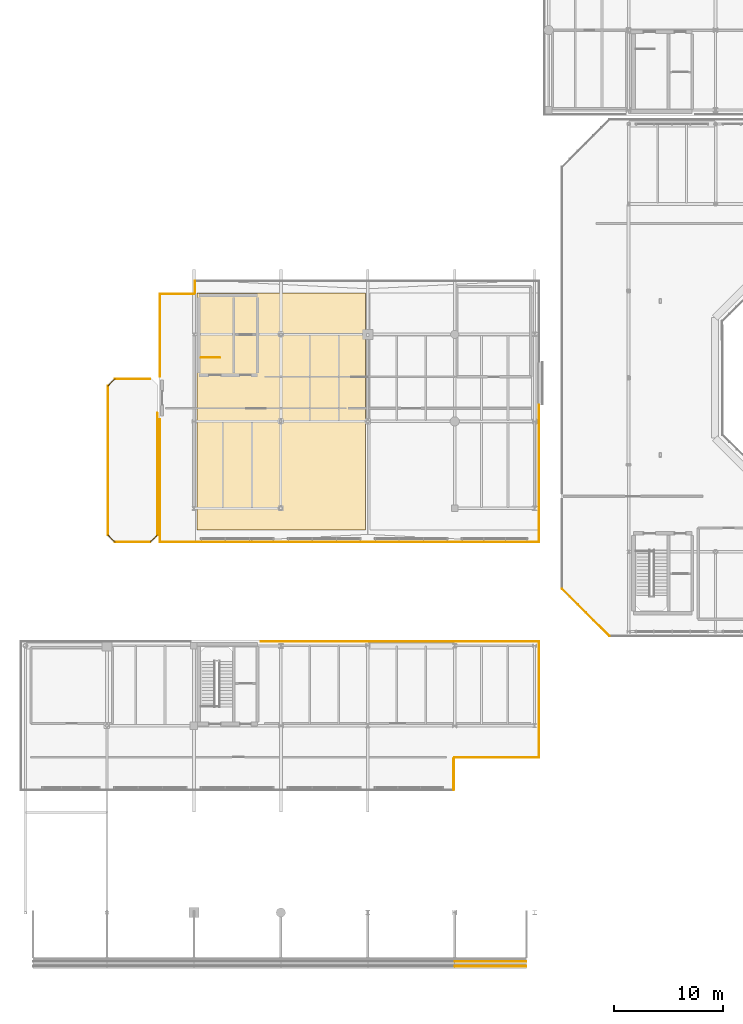
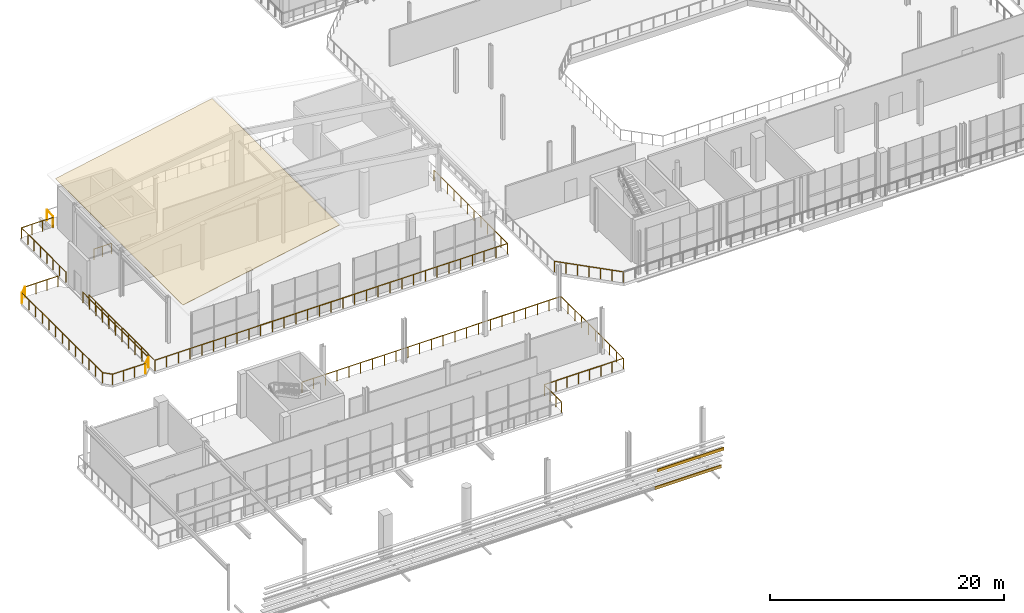
# One storey, part 60 of 70: 19 railings, 3 coverings.
"""IFC4 building model written with IfcOpenShell, lengths in metres."""

from ifc_helpers import new_model, si_unit, direction, frame, origin, origin_2d, place, context, subcontext, project, spatial, polyline, rectangle, circle, outline, extrude, material, layer, layer_set, type_object, element, save


model = new_model("IFC4")

# Units and contexts
model_context = context("Model", 3, precision=1e-05, world=origin(), true_north=direction((0.0, 1.0)))
body_context = subcontext(model_context, "Body", "Model", "MODEL_VIEW")
ifc_project = project(units=[si_unit("LENGTHUNIT", "METRE"), si_unit("AREAUNIT", "SQUARE_METRE"), si_unit("VOLUMEUNIT", "CUBIC_METRE"), si_unit("PLANEANGLEUNIT", "RADIAN"), si_unit("MASSUNIT", "GRAM", prefix="KILO")], contexts=[model_context])

# Site, building, storey
site_placement = place(None, origin())
site = spatial("IfcSite", under=ifc_project, at=site_placement, CompositionType="ELEMENT")
building_placement = place(site_placement, origin())
building = spatial("IfcBuilding", under=site, at=building_placement, Name="Brisemont Oceanarium", CompositionType="ELEMENT")
storey_placement = place(building_placement, frame((0.0, 0.0, 10.199951171875)))
storey = spatial("IfcBuildingStorey", under=building, at=storey_placement, Name="L02", CompositionType="ELEMENT", Elevation=10.199951171875)

# Coverings
ifc_material_1 = material(Name="Architectural Bronze-Anodized Cedar Composite")
ifc_layer_1 = layer(ifc_material_1, 0.044921875)
ifc_layer_set_1 = layer_set([ifc_layer_1], Name="Architectural Bronze-Anodized Cedar Composite")
covering_type_1 = type_object("IfcCoveringType", Name="COV-CLAD-CEDAR", PredefinedType="CLADDING", material=ifc_layer_set_1)
for number, where, z_axis, x_axis, name in (
    (1, (51.300048828125, 2.3046875, 1.47998046875), (0.0, 0.0, 1.0), (1.0, 0.0, 0.0), "V2 stepped spandrel cladding course 4.6"),
    (2, (51.300048828125, 1.87744140625, 3.580078125), (0.0, 0.0, 1.0), (1.0, 0.0, 0.0), "V2 stepped spandrel cladding course 5.6"),
):
    element("IfcCovering", number, at=place(storey_placement, frame(where, z_axis=z_axis, x_axis=x_axis)), inside=storey, type_object=covering_type_1, Name=name, PredefinedType="CLADDING", context=body_context, shape_type="SweptSolid", body=[
        extrude(rectangle(XDim=6.60009765625, YDim=0.080078125, at=origin_2d()), origin(), (0.0, 0.0, 1.0), 0.300048828125),
    ])
ifc_material_2 = material(Name="Patinated Copper-Zinc Standing-Seam Sheet")
ifc_layer_2 = layer(ifc_material_2, 0.034912109375)
ifc_layer_set_2 = layer_set([ifc_layer_2], Name="Patinated Copper-Zinc Standing-Seam Sheet")
covering_type_2 = type_object("IfcCoveringType", Name="COV-ROOF-CUZN", PredefinedType="ROOFING", material=ifc_layer_set_2)
covering_placement = place(storey_placement, frame((24.300048828125, 42.0, 5.0), z_axis=(-0.186963501428, 0.0, 0.982366860767), x_axis=(0.982366860767, 0.0, 0.186963501428)))
element("IfcCovering", 3, at=covering_placement, inside=storey, type_object=covering_type_2, Name="Patinated copper-zinc standing-seam roofing RFG-R3", PredefinedType="ROOFING", context=body_context, shape_type="SweptSolid", body=[
    extrude(outline(polyline([(0.0, 0.0), (15.778219542028394, 0.0), (15.778219542028394, 21.800048828125), (0.0, 21.800048828125), (0.0, 0.0)])), origin(), (0.0, 0.0, -1.0), 0.034912109375),
])

# Railings
ifc_material_3 = material(Name="Duplex Stainless Steel EN 1.4462", Category="steel")
railing_type = type_object("IfcRailingType", Name="RLG-GUARD-1120", PredefinedType="GUARDRAIL", material=ifc_material_3)
railing_1_placement = place(storey_placement, frame((24.669921875, 57.860107421875, 0.0)))
element("IfcRailing", 4, at=railing_1_placement, inside=storey, type_object=railing_type, Name="ST-05 L02 landing edge guard", PredefinedType="GUARDRAIL", context=body_context, shape_type="SweptSolid", body=[
    extrude(circle(Radius=0.02392578125, at=origin_2d()), frame((0.0, 0.0, 1.09619140625), z_axis=(1.0, 0.0, 0.0), x_axis=(0.0, 1.0, 0.0)), (0.0, 0.0, 1.0), 1.719970703125),
    extrude(circle(Radius=0.02099609375, at=origin_2d()), origin(), (0.0, 0.0, 1.0), 1.072021484375),
    extrude(circle(Radius=0.02099609375, at=origin_2d()), frame((0.85986328125, 0.0, 0.0)), (0.0, 0.0, 1.0), 1.072021484375),
    extrude(circle(Radius=0.02099609375, at=origin_2d()), frame((1.719970703125, 0.0, 0.0)), (0.0, 0.0, 1.0), 1.072021484375),
])
railing_2_placement = place(storey_placement, frame((62.2373046875, 32.239990234375, 0.0)))
element("IfcRailing", 5, at=railing_2_placement, inside=storey, type_object=railing_type, Name="L02 slab perimeter safety guard 144", PredefinedType="GUARDRAIL", context=body_context, shape_type="SweptSolid", body=[
    extrude(circle(Radius=0.02392578125, at=origin_2d()), frame((0.0, 0.0, 1.09619140625), z_axis=(-0.707106781187, 0.707106781187, 0.0), x_axis=(-0.707106781187, -0.707106781187, 0.0)), (0.0, 0.0, 1.0), 6.148193359375),
    extrude(circle(Radius=0.02099609375, at=origin_2d()), origin(), (0.0, 0.0, 1.0), 1.072021484375),
    extrude(circle(Radius=0.02099609375, at=origin_2d()), frame((-0.724609375, 0.724609375, 0.0)), (0.0, 0.0, 1.0), 1.072021484375),
    extrude(circle(Radius=0.02099609375, at=origin_2d()), frame((-1.44921875, 1.44921875, 0.0)), (0.0, 0.0, 1.0), 1.072021484375),
    extrude(circle(Radius=0.02099609375, at=origin_2d()), frame((-2.173828125, 2.173828125, 0.0)), (0.0, 0.0, 1.0), 1.072021484375),
    extrude(circle(Radius=0.02099609375, at=origin_2d()), frame((-2.898193359375, 2.898193359375, 0.0)), (0.0, 0.0, 1.0), 1.072021484375),
    extrude(circle(Radius=0.02099609375, at=origin_2d()), frame((-3.622802734375, 3.622802734375, 0.0)), (0.0, 0.0, 1.0), 1.072021484375),
    extrude(circle(Radius=0.02099609375, at=origin_2d()), frame((-4.347412109375, 4.347412109375, 0.0)), (0.0, 0.0, 1.0), 1.072021484375),
])
railing_3_placement = place(storey_placement, frame((20.889892578125, 63.7099609375, 0.0)))
element("IfcRailing", 6, at=railing_3_placement, inside=storey, type_object=railing_type, Name="L02 slab perimeter safety guard 160", PredefinedType="GUARDRAIL", context=body_context, shape_type="SweptSolid", body=[
    extrude(circle(Radius=0.02392578125, at=origin_2d()), frame((0.0, 0.0, 1.09619140625), z_axis=(0.999997612283, 0.002185275357, 0.0), x_axis=(-0.002185275357, 0.999997612283, 0.0)), (0.0, 0.0, 1.0), 3.128173828125),
    extrude(circle(Radius=0.02099609375, at=origin_2d()), origin(), (0.0, 0.0, 1.0), 1.072021484375),
    extrude(circle(Radius=0.02099609375, at=origin_2d()), frame((1.042724609375, 0.002197265625, 0.0)), (0.0, 0.0, 1.0), 1.072021484375),
    extrude(circle(Radius=0.02099609375, at=origin_2d()), frame((2.08544921875, 0.004638671875, 0.0)), (0.0, 0.0, 1.0), 1.072021484375),
    extrude(circle(Radius=0.02099609375, at=origin_2d()), frame((3.128173828125, 0.0068359375, 0.0)), (0.0, 0.0, 1.0), 1.072021484375),
])
railing_4_placement = place(storey_placement, frame((24.08984375, 63.813720703125, 0.0)))
element("IfcRailing", 7, at=railing_4_placement, inside=storey, type_object=railing_type, Name="L02 slab perimeter safety guard 161", PredefinedType="GUARDRAIL", context=body_context, shape_type="SweptSolid", body=[
    extrude(circle(Radius=0.02392578125, at=origin_2d()), frame((0.0, 0.0, 1.09619140625), z_axis=(0.000222816394, 0.999999975176, 0.0), x_axis=(-0.999999975176, 0.000222816394, 0.0)), (0.0, 0.0, 1.0), 1.095703125),
    extrude(circle(Radius=0.02099609375, at=origin_2d()), origin(), (0.0, 0.0, 1.0), 1.072021484375),
    extrude(circle(Radius=0.02099609375, at=origin_2d()), frame((0.000244140625, 1.095703125, 0.0)), (0.0, 0.0, 1.0), 1.072021484375),
])
railing_5_placement = place(storey_placement, frame((55.760009765625, 53.49169921875, 0.0)))
element("IfcRailing", 8, at=railing_5_placement, inside=storey, type_object=railing_type, Name="L02 slab perimeter safety guard 165", PredefinedType="GUARDRAIL", context=body_context, shape_type="SweptSolid", body=[
    extrude(circle(Radius=0.02392578125, at=origin_2d()), frame((0.0, 0.0, 1.09619140625), z_axis=(0.0, -1.0, 0.0), x_axis=(1.0, 0.0, 0.0)), (0.0, 0.0, 1.0), 12.601318359375),
    extrude(circle(Radius=0.02099609375, at=origin_2d()), origin(), (0.0, 0.0, 1.0), 1.072021484375),
    extrude(circle(Radius=0.02099609375, at=origin_2d()), frame((0.0, -1.1455078125, 0.0)), (0.0, 0.0, 1.0), 1.072021484375),
    extrude(circle(Radius=0.02099609375, at=origin_2d()), frame((0.0, -2.291259765625, 0.0)), (0.0, 0.0, 1.0), 1.072021484375),
    extrude(circle(Radius=0.02099609375, at=origin_2d()), frame((0.0, -3.436767578125, 0.0)), (0.0, 0.0, 1.0), 1.072021484375),
    extrude(circle(Radius=0.02099609375, at=origin_2d()), frame((0.0, -4.582275390625, 0.0)), (0.0, 0.0, 1.0), 1.072021484375),
    extrude(circle(Radius=0.02099609375, at=origin_2d()), frame((0.0, -5.727783203125, 0.0)), (0.0, 0.0, 1.0), 1.072021484375),
    extrude(circle(Radius=0.02099609375, at=origin_2d()), frame((0.0, -6.87353515625, 0.0)), (0.0, 0.0, 1.0), 1.072021484375),
    extrude(circle(Radius=0.02099609375, at=origin_2d()), frame((0.0, -8.01904296875, 0.0)), (0.0, 0.0, 1.0), 1.072021484375),
    extrude(circle(Radius=0.02099609375, at=origin_2d()), frame((0.0, -9.16455078125, 0.0)), (0.0, 0.0, 1.0), 1.072021484375),
    extrude(circle(Radius=0.02099609375, at=origin_2d()), frame((0.0, -10.31005859375, 0.0)), (0.0, 0.0, 1.0), 1.072021484375),
    extrude(circle(Radius=0.02099609375, at=origin_2d()), frame((0.0, -11.455810546875, 0.0)), (0.0, 0.0, 1.0), 1.072021484375),
    extrude(circle(Radius=0.02099609375, at=origin_2d()), frame((0.0, -12.601318359375, 0.0)), (0.0, 0.0, 1.0), 1.072021484375),
])
railing_6_placement = place(storey_placement, frame((55.760009765625, 40.890380859375, 0.0)))
element("IfcRailing", 9, at=railing_6_placement, inside=storey, type_object=railing_type, Name="L02 slab perimeter safety guard 166", PredefinedType="GUARDRAIL", context=body_context, shape_type="SweptSolid", body=[
    extrude(circle(Radius=0.02392578125, at=origin_2d()), frame((0.0, 0.0, 1.09619140625), z_axis=(-0.999999999902, -1.4003053e-05, 0.0), x_axis=(1.4003053e-05, -0.999999999902, 0.0)), (0.0, 0.0, 1.0), 34.86962890625),
    extrude(circle(Radius=0.02099609375, at=origin_2d()), origin(), (0.0, 0.0, 1.0), 1.072021484375),
    extrude(circle(Radius=0.02099609375, at=origin_2d()), frame((-1.162353515625, 0.0, 0.0)), (0.0, 0.0, 1.0), 1.072021484375),
    extrude(circle(Radius=0.02099609375, at=origin_2d()), frame((-2.32470703125, 0.0, 0.0)), (0.0, 0.0, 1.0), 1.072021484375),
    extrude(circle(Radius=0.02099609375, at=origin_2d()), frame((-3.487060546875, 0.0, 0.0)), (0.0, 0.0, 1.0), 1.072021484375),
    extrude(circle(Radius=0.02099609375, at=origin_2d()), frame((-4.649169921875, 0.0, 0.0)), (0.0, 0.0, 1.0), 1.072021484375),
    extrude(circle(Radius=0.02099609375, at=origin_2d()), frame((-5.8115234375, 0.0, 0.0)), (0.0, 0.0, 1.0), 1.072021484375),
    extrude(circle(Radius=0.02099609375, at=origin_2d()), frame((-6.973876953125, 0.0, 0.0)), (0.0, 0.0, 1.0), 1.072021484375),
    extrude(circle(Radius=0.02099609375, at=origin_2d()), frame((-8.13623046875, 0.0, 0.0)), (0.0, 0.0, 1.0), 1.072021484375),
    extrude(circle(Radius=0.02099609375, at=origin_2d()), frame((-9.298583984375, -0.000244140625, 0.0)), (0.0, 0.0, 1.0), 1.072021484375),
    extrude(circle(Radius=0.02099609375, at=origin_2d()), frame((-10.4609375, -0.000244140625, 0.0)), (0.0, 0.0, 1.0), 1.072021484375),
    extrude(circle(Radius=0.02099609375, at=origin_2d()), frame((-11.623291015625, -0.000244140625, 0.0)), (0.0, 0.0, 1.0), 1.072021484375),
    extrude(circle(Radius=0.02099609375, at=origin_2d()), frame((-12.78564453125, -0.000244140625, 0.0)), (0.0, 0.0, 1.0), 1.072021484375),
    extrude(circle(Radius=0.02099609375, at=origin_2d()), frame((-13.94775390625, -0.000244140625, 0.0)), (0.0, 0.0, 1.0), 1.072021484375),
    extrude(circle(Radius=0.02099609375, at=origin_2d()), frame((-15.110107421875, -0.000244140625, 0.0)), (0.0, 0.0, 1.0), 1.072021484375),
    extrude(circle(Radius=0.02099609375, at=origin_2d()), frame((-16.2724609375, -0.000244140625, 0.0)), (0.0, 0.0, 1.0), 1.072021484375),
    extrude(circle(Radius=0.02099609375, at=origin_2d()), frame((-17.434814453125, -0.000244140625, 0.0)), (0.0, 0.0, 1.0), 1.072021484375),
    extrude(circle(Radius=0.02099609375, at=origin_2d()), frame((-18.59716796875, -0.000244140625, 0.0)), (0.0, 0.0, 1.0), 1.072021484375),
    extrude(circle(Radius=0.02099609375, at=origin_2d()), frame((-19.759521484375, -0.000244140625, 0.0)), (0.0, 0.0, 1.0), 1.072021484375),
    extrude(circle(Radius=0.02099609375, at=origin_2d()), frame((-20.921875, -0.000244140625, 0.0)), (0.0, 0.0, 1.0), 1.072021484375),
    extrude(circle(Radius=0.02099609375, at=origin_2d()), frame((-22.083984375, -0.000244140625, 0.0)), (0.0, 0.0, 1.0), 1.072021484375),
    extrude(circle(Radius=0.02099609375, at=origin_2d()), frame((-23.246337890625, -0.000244140625, 0.0)), (0.0, 0.0, 1.0), 1.072021484375),
    extrude(circle(Radius=0.02099609375, at=origin_2d()), frame((-24.40869140625, -0.000244140625, 0.0)), (0.0, 0.0, 1.0), 1.072021484375),
    extrude(circle(Radius=0.02099609375, at=origin_2d()), frame((-25.571044921875, -0.000244140625, 0.0)), (0.0, 0.0, 1.0), 1.072021484375),
    extrude(circle(Radius=0.02099609375, at=origin_2d()), frame((-26.7333984375, -0.00048828125, 0.0)), (0.0, 0.0, 1.0), 1.072021484375),
    extrude(circle(Radius=0.02099609375, at=origin_2d()), frame((-27.895751953125, -0.00048828125, 0.0)), (0.0, 0.0, 1.0), 1.072021484375),
    extrude(circle(Radius=0.02099609375, at=origin_2d()), frame((-29.05810546875, -0.00048828125, 0.0)), (0.0, 0.0, 1.0), 1.072021484375),
    extrude(circle(Radius=0.02099609375, at=origin_2d()), frame((-30.220458984375, -0.00048828125, 0.0)), (0.0, 0.0, 1.0), 1.072021484375),
    extrude(circle(Radius=0.02099609375, at=origin_2d()), frame((-31.382568359375, -0.00048828125, 0.0)), (0.0, 0.0, 1.0), 1.072021484375),
    extrude(circle(Radius=0.02099609375, at=origin_2d()), frame((-32.544921875, -0.00048828125, 0.0)), (0.0, 0.0, 1.0), 1.072021484375),
    extrude(circle(Radius=0.02099609375, at=origin_2d()), frame((-33.707275390625, -0.00048828125, 0.0)), (0.0, 0.0, 1.0), 1.072021484375),
    extrude(circle(Radius=0.02099609375, at=origin_2d()), frame((-34.86962890625, -0.00048828125, 0.0)), (0.0, 0.0, 1.0), 1.072021484375),
])
railing_7_placement = place(storey_placement, frame((20.890380859375, 40.889892578125, 0.0)))
element("IfcRailing", 10, at=railing_7_placement, inside=storey, type_object=railing_type, Name="L02 slab perimeter safety guard 167", PredefinedType="GUARDRAIL", context=body_context, shape_type="SweptSolid", body=[
    extrude(circle(Radius=0.02392578125, at=origin_2d()), frame((0.0, 0.0, 1.09619140625), z_axis=(-2.1628636e-05, 0.999999999766, 0.0), x_axis=(-0.999999999766, -2.1628636e-05, 0.0)), (0.0, 0.0, 1.0), 11.287841796875),
    extrude(circle(Radius=0.02099609375, at=origin_2d()), origin(), (0.0, 0.0, 1.0), 1.072021484375),
    extrude(circle(Radius=0.02099609375, at=origin_2d()), frame((0.0, 1.12890625, 0.0)), (0.0, 0.0, 1.0), 1.072021484375),
    extrude(circle(Radius=0.02099609375, at=origin_2d()), frame((0.0, 2.257568359375, 0.0)), (0.0, 0.0, 1.0), 1.072021484375),
    extrude(circle(Radius=0.02099609375, at=origin_2d()), frame((0.0, 3.38623046875, 0.0)), (0.0, 0.0, 1.0), 1.072021484375),
    extrude(circle(Radius=0.02099609375, at=origin_2d()), frame((0.0, 4.51513671875, 0.0)), (0.0, 0.0, 1.0), 1.072021484375),
    extrude(circle(Radius=0.02099609375, at=origin_2d()), frame((0.0, 5.64404296875, 0.0)), (0.0, 0.0, 1.0), 1.072021484375),
    extrude(circle(Radius=0.02099609375, at=origin_2d()), frame((-0.000244140625, 6.772705078125, 0.0)), (0.0, 0.0, 1.0), 1.072021484375),
    extrude(circle(Radius=0.02099609375, at=origin_2d()), frame((-0.000244140625, 7.9013671875, 0.0)), (0.0, 0.0, 1.0), 1.072021484375),
    extrude(circle(Radius=0.02099609375, at=origin_2d()), frame((-0.000244140625, 9.0302734375, 0.0)), (0.0, 0.0, 1.0), 1.072021484375),
    extrude(circle(Radius=0.02099609375, at=origin_2d()), frame((-0.000244140625, 10.1591796875, 0.0)), (0.0, 0.0, 1.0), 1.072021484375),
    extrude(circle(Radius=0.02099609375, at=origin_2d()), frame((-0.000244140625, 11.287841796875, 0.0)), (0.0, 0.0, 1.0), 1.072021484375),
])
railing_8_placement = place(storey_placement, frame((20.89013671875, 56.122314453125, 0.0)))
element("IfcRailing", 11, at=railing_8_placement, inside=storey, type_object=railing_type, Name="L02 slab perimeter safety guard 168", PredefinedType="GUARDRAIL", context=body_context, shape_type="SweptSolid", body=[
    extrude(circle(Radius=0.02392578125, at=origin_2d()), frame((0.0, 0.0, 1.09619140625), z_axis=(-3.2176067e-05, 0.999999999482, 0.0), x_axis=(-0.999999999482, -3.2176067e-05, 0.0)), (0.0, 0.0, 1.0), 7.587646484375),
    extrude(circle(Radius=0.02099609375, at=origin_2d()), origin(), (0.0, 0.0, 1.0), 1.072021484375),
    extrude(circle(Radius=0.02099609375, at=origin_2d()), frame((0.0, 1.083984375, 0.0)), (0.0, 0.0, 1.0), 1.072021484375),
    extrude(circle(Radius=0.02099609375, at=origin_2d()), frame((0.0, 2.16796875, 0.0)), (0.0, 0.0, 1.0), 1.072021484375),
    extrude(circle(Radius=0.02099609375, at=origin_2d()), frame((0.0, 3.251953125, 0.0)), (0.0, 0.0, 1.0), 1.072021484375),
    extrude(circle(Radius=0.02099609375, at=origin_2d()), frame((-0.000244140625, 4.335693359375, 0.0)), (0.0, 0.0, 1.0), 1.072021484375),
    extrude(circle(Radius=0.02099609375, at=origin_2d()), frame((-0.000244140625, 5.419677734375, 0.0)), (0.0, 0.0, 1.0), 1.072021484375),
    extrude(circle(Radius=0.02099609375, at=origin_2d()), frame((-0.000244140625, 6.503662109375, 0.0)), (0.0, 0.0, 1.0), 1.072021484375),
    extrude(circle(Radius=0.02099609375, at=origin_2d()), frame((-0.000244140625, 7.587646484375, 0.0)), (0.0, 0.0, 1.0), 1.072021484375),
])
railing_9_placement = place(storey_placement, frame((30.14990234375, 31.759765625, 0.0)))
element("IfcRailing", 12, at=railing_9_placement, inside=storey, type_object=railing_type, Name="L02 slab perimeter safety guard 171", PredefinedType="GUARDRAIL", context=body_context, shape_type="SweptSolid", body=[
    extrude(circle(Radius=0.02392578125, at=origin_2d()), frame((0.0, 0.0, 1.09619140625), z_axis=(0.999999999955, 9.533161e-06, 0.0), x_axis=(-9.533161e-06, 0.999999999955, 0.0)), (0.0, 0.0, 1.0), 25.609619140625),
    extrude(circle(Radius=0.02099609375, at=origin_2d()), origin(), (0.0, 0.0, 1.0), 1.072021484375),
    extrude(circle(Radius=0.02099609375, at=origin_2d()), frame((1.1640625, 0.0, 0.0)), (0.0, 0.0, 1.0), 1.072021484375),
    extrude(circle(Radius=0.02099609375, at=origin_2d()), frame((2.328125, 0.0, 0.0)), (0.0, 0.0, 1.0), 1.072021484375),
    extrude(circle(Radius=0.02099609375, at=origin_2d()), frame((3.4921875, 0.0, 0.0)), (0.0, 0.0, 1.0), 1.072021484375),
    extrude(circle(Radius=0.02099609375, at=origin_2d()), frame((4.65625, 0.0, 0.0)), (0.0, 0.0, 1.0), 1.072021484375),
    extrude(circle(Radius=0.02099609375, at=origin_2d()), frame((5.8203125, 0.0, 0.0)), (0.0, 0.0, 1.0), 1.072021484375),
    extrude(circle(Radius=0.02099609375, at=origin_2d()), frame((6.984375, 0.0, 0.0)), (0.0, 0.0, 1.0), 1.072021484375),
    extrude(circle(Radius=0.02099609375, at=origin_2d()), frame((8.1484375, 0.0, 0.0)), (0.0, 0.0, 1.0), 1.072021484375),
    extrude(circle(Radius=0.02099609375, at=origin_2d()), frame((9.3125, 0.0, 0.0)), (0.0, 0.0, 1.0), 1.072021484375),
    extrude(circle(Radius=0.02099609375, at=origin_2d()), frame((10.4765625, 0.0, 0.0)), (0.0, 0.0, 1.0), 1.072021484375),
    extrude(circle(Radius=0.02099609375, at=origin_2d()), frame((11.640625, 0.0, 0.0)), (0.0, 0.0, 1.0), 1.072021484375),
    extrude(circle(Radius=0.02099609375, at=origin_2d()), frame((12.8046875, 0.0, 0.0)), (0.0, 0.0, 1.0), 1.072021484375),
    extrude(circle(Radius=0.02099609375, at=origin_2d()), frame((13.968994140625, 0.000244140625, 0.0)), (0.0, 0.0, 1.0), 1.072021484375),
    extrude(circle(Radius=0.02099609375, at=origin_2d()), frame((15.133056640625, 0.000244140625, 0.0)), (0.0, 0.0, 1.0), 1.072021484375),
    extrude(circle(Radius=0.02099609375, at=origin_2d()), frame((16.297119140625, 0.000244140625, 0.0)), (0.0, 0.0, 1.0), 1.072021484375),
    extrude(circle(Radius=0.02099609375, at=origin_2d()), frame((17.461181640625, 0.000244140625, 0.0)), (0.0, 0.0, 1.0), 1.072021484375),
    extrude(circle(Radius=0.02099609375, at=origin_2d()), frame((18.625244140625, 0.000244140625, 0.0)), (0.0, 0.0, 1.0), 1.072021484375),
    extrude(circle(Radius=0.02099609375, at=origin_2d()), frame((19.789306640625, 0.000244140625, 0.0)), (0.0, 0.0, 1.0), 1.072021484375),
    extrude(circle(Radius=0.02099609375, at=origin_2d()), frame((20.953369140625, 0.000244140625, 0.0)), (0.0, 0.0, 1.0), 1.072021484375),
    extrude(circle(Radius=0.02099609375, at=origin_2d()), frame((22.117431640625, 0.000244140625, 0.0)), (0.0, 0.0, 1.0), 1.072021484375),
    extrude(circle(Radius=0.02099609375, at=origin_2d()), frame((23.281494140625, 0.000244140625, 0.0)), (0.0, 0.0, 1.0), 1.072021484375),
    extrude(circle(Radius=0.02099609375, at=origin_2d()), frame((24.445556640625, 0.000244140625, 0.0)), (0.0, 0.0, 1.0), 1.072021484375),
    extrude(circle(Radius=0.02099609375, at=origin_2d()), frame((25.609619140625, 0.000244140625, 0.0)), (0.0, 0.0, 1.0), 1.072021484375),
])
railing_10_placement = place(storey_placement, frame((55.759521484375, 31.760009765625, 0.0)))
element("IfcRailing", 13, at=railing_10_placement, inside=storey, type_object=railing_type, Name="L02 slab perimeter safety guard 172", PredefinedType="GUARDRAIL", context=body_context, shape_type="SweptSolid", body=[
    extrude(circle(Radius=0.02392578125, at=origin_2d()), frame((0.0, 0.0, 1.09619140625), z_axis=(4.5764496e-05, -0.999999998953, 0.0), x_axis=(0.999999998953, 4.5764496e-05, 0.0)), (0.0, 0.0, 1.0), 10.66943359375),
    extrude(circle(Radius=0.02099609375, at=origin_2d()), origin(), (0.0, 0.0, 1.0), 1.072021484375),
    extrude(circle(Radius=0.02099609375, at=origin_2d()), frame((0.0, -1.185546875, 0.0)), (0.0, 0.0, 1.0), 1.072021484375),
    extrude(circle(Radius=0.02099609375, at=origin_2d()), frame((0.0, -2.37109375, 0.0)), (0.0, 0.0, 1.0), 1.072021484375),
    extrude(circle(Radius=0.02099609375, at=origin_2d()), frame((0.000244140625, -3.556396484375, 0.0)), (0.0, 0.0, 1.0), 1.072021484375),
    extrude(circle(Radius=0.02099609375, at=origin_2d()), frame((0.000244140625, -4.741943359375, 0.0)), (0.0, 0.0, 1.0), 1.072021484375),
    extrude(circle(Radius=0.02099609375, at=origin_2d()), frame((0.000244140625, -5.927490234375, 0.0)), (0.0, 0.0, 1.0), 1.072021484375),
    extrude(circle(Radius=0.02099609375, at=origin_2d()), frame((0.000244140625, -7.113037109375, 0.0)), (0.0, 0.0, 1.0), 1.072021484375),
    extrude(circle(Radius=0.02099609375, at=origin_2d()), frame((0.00048828125, -8.29833984375, 0.0)), (0.0, 0.0, 1.0), 1.072021484375),
    extrude(circle(Radius=0.02099609375, at=origin_2d()), frame((0.00048828125, -9.48388671875, 0.0)), (0.0, 0.0, 1.0), 1.072021484375),
    extrude(circle(Radius=0.02099609375, at=origin_2d()), frame((0.00048828125, -10.66943359375, 0.0)), (0.0, 0.0, 1.0), 1.072021484375),
])
railing_11_placement = place(storey_placement, frame((55.760009765625, 21.090576171875, 0.0)))
element("IfcRailing", 14, at=railing_11_placement, inside=storey, type_object=railing_type, Name="L02 slab perimeter safety guard 173", PredefinedType="GUARDRAIL", context=body_context, shape_type="SweptSolid", body=[
    extrude(circle(Radius=0.02392578125, at=origin_2d()), frame((0.0, 0.0, 1.09619140625), z_axis=(-0.999999556649, -0.000941648724, 0.0), x_axis=(0.000941648724, -0.999999556649, 0.0)), (0.0, 0.0, 1.0), 7.778076171875),
    extrude(circle(Radius=0.02099609375, at=origin_2d()), origin(), (0.0, 0.0, 1.0), 1.072021484375),
    extrude(circle(Radius=0.02099609375, at=origin_2d()), frame((-1.111083984375, -0.0009765625, 0.0)), (0.0, 0.0, 1.0), 1.072021484375),
    extrude(circle(Radius=0.02099609375, at=origin_2d()), frame((-2.222412109375, -0.002197265625, 0.0)), (0.0, 0.0, 1.0), 1.072021484375),
    extrude(circle(Radius=0.02099609375, at=origin_2d()), frame((-3.33349609375, -0.003173828125, 0.0)), (0.0, 0.0, 1.0), 1.072021484375),
    extrude(circle(Radius=0.02099609375, at=origin_2d()), frame((-4.444580078125, -0.004150390625, 0.0)), (0.0, 0.0, 1.0), 1.072021484375),
    extrude(circle(Radius=0.02099609375, at=origin_2d()), frame((-5.5556640625, -0.005126953125, 0.0)), (0.0, 0.0, 1.0), 1.072021484375),
    extrude(circle(Radius=0.02099609375, at=origin_2d()), frame((-6.6669921875, -0.00634765625, 0.0)), (0.0, 0.0, 1.0), 1.072021484375),
    extrude(circle(Radius=0.02099609375, at=origin_2d()), frame((-7.778076171875, -0.00732421875, 0.0)), (0.0, 0.0, 1.0), 1.072021484375),
])
railing_12_placement = place(storey_placement, frame((47.909912109375, 20.97998046875, 0.0)))
element("IfcRailing", 15, at=railing_12_placement, inside=storey, type_object=railing_type, Name="L02 slab perimeter safety guard 174", PredefinedType="GUARDRAIL", context=body_context, shape_type="SweptSolid", body=[
    extrude(circle(Radius=0.02392578125, at=origin_2d()), frame((0.0, 0.0, 1.09619140625), z_axis=(0.0, -1.0, 0.0), x_axis=(1.0, 0.0, 0.0)), (0.0, 0.0, 1.0), 2.889404296875),
    extrude(circle(Radius=0.02099609375, at=origin_2d()), origin(), (0.0, 0.0, 1.0), 1.072021484375),
    extrude(circle(Radius=0.02099609375, at=origin_2d()), frame((0.0, -0.963134765625, 0.0)), (0.0, 0.0, 1.0), 1.072021484375),
    extrude(circle(Radius=0.02099609375, at=origin_2d()), frame((0.0, -1.92626953125, 0.0)), (0.0, 0.0, 1.0), 1.072021484375),
    extrude(circle(Radius=0.02099609375, at=origin_2d()), frame((0.0, -2.889404296875, 0.0)), (0.0, 0.0, 1.0), 1.072021484375),
])
railing_13_placement = place(storey_placement, frame((16.090087890625, 41.537353515625, 0.0)))
element("IfcRailing", 16, at=railing_13_placement, inside=storey, type_object=railing_type, Name="L02 slab perimeter safety guard 176", PredefinedType="GUARDRAIL", context=body_context, shape_type="SweptSolid", body=[
    extrude(circle(Radius=0.02392578125, at=origin_2d()), frame((0.0, 0.0, 1.09619140625), z_axis=(0.0, 1.0, 0.0), x_axis=(-1.0, 0.0, 0.0)), (0.0, 0.0, 1.0), 13.725341796875),
    extrude(circle(Radius=0.02099609375, at=origin_2d()), origin(), (0.0, 0.0, 1.0), 1.072021484375),
    extrude(circle(Radius=0.02099609375, at=origin_2d()), frame((0.0, 1.143798828125, 0.0)), (0.0, 0.0, 1.0), 1.072021484375),
    extrude(circle(Radius=0.02099609375, at=origin_2d()), frame((0.0, 2.28759765625, 0.0)), (0.0, 0.0, 1.0), 1.072021484375),
    extrude(circle(Radius=0.02099609375, at=origin_2d()), frame((0.0, 3.431396484375, 0.0)), (0.0, 0.0, 1.0), 1.072021484375),
    extrude(circle(Radius=0.02099609375, at=origin_2d()), frame((0.0, 4.5751953125, 0.0)), (0.0, 0.0, 1.0), 1.072021484375),
    extrude(circle(Radius=0.02099609375, at=origin_2d()), frame((0.0, 5.718994140625, 0.0)), (0.0, 0.0, 1.0), 1.072021484375),
    extrude(circle(Radius=0.02099609375, at=origin_2d()), frame((0.0, 6.86279296875, 0.0)), (0.0, 0.0, 1.0), 1.072021484375),
    extrude(circle(Radius=0.02099609375, at=origin_2d()), frame((0.0, 8.00634765625, 0.0)), (0.0, 0.0, 1.0), 1.072021484375),
    extrude(circle(Radius=0.02099609375, at=origin_2d()), frame((0.0, 9.150146484375, 0.0)), (0.0, 0.0, 1.0), 1.072021484375),
    extrude(circle(Radius=0.02099609375, at=origin_2d()), frame((0.0, 10.2939453125, 0.0)), (0.0, 0.0, 1.0), 1.072021484375),
    extrude(circle(Radius=0.02099609375, at=origin_2d()), frame((0.0, 11.437744140625, 0.0)), (0.0, 0.0, 1.0), 1.072021484375),
    extrude(circle(Radius=0.02099609375, at=origin_2d()), frame((0.0, 12.58154296875, 0.0)), (0.0, 0.0, 1.0), 1.072021484375),
    extrude(circle(Radius=0.02099609375, at=origin_2d()), frame((0.0, 13.725341796875, 0.0)), (0.0, 0.0, 1.0), 1.072021484375),
])
railing_14_placement = place(storey_placement, frame((16.090087890625, 55.2626953125, 0.0)))
element("IfcRailing", 17, at=railing_14_placement, inside=storey, type_object=railing_type, Name="L02 slab perimeter safety guard 177", PredefinedType="GUARDRAIL", context=body_context, shape_type="SweptSolid", body=[
    extrude(circle(Radius=0.02392578125, at=origin_2d()), frame((0.0, 0.0, 1.09619140625), z_axis=(0.707106781187, 0.707106781187, 0.0), x_axis=(-0.707106781187, 0.707106781187, 0.0)), (0.0, 0.0, 1.0), 0.915283203125),
    extrude(circle(Radius=0.02099609375, at=origin_2d()), origin(), (0.0, 0.0, 1.0), 1.072021484375),
    extrude(circle(Radius=0.02099609375, at=origin_2d()), frame((0.647216796875, 0.647216796875, 0.0)), (0.0, 0.0, 1.0), 1.072021484375),
])
railing_15_placement = place(storey_placement, frame((16.7373046875, 55.909912109375, 0.0)))
element("IfcRailing", 18, at=railing_15_placement, inside=storey, type_object=railing_type, Name="L02 slab perimeter safety guard 178", PredefinedType="GUARDRAIL", context=body_context, shape_type="SweptSolid", body=[
    extrude(circle(Radius=0.02392578125, at=origin_2d()), frame((0.0, 0.0, 1.09619140625), z_axis=(1.0, 0.0, 0.0), x_axis=(0.0, 1.0, 0.0)), (0.0, 0.0, 1.0), 3.245361328125),
    extrude(circle(Radius=0.02099609375, at=origin_2d()), origin(), (0.0, 0.0, 1.0), 1.072021484375),
    extrude(circle(Radius=0.02099609375, at=origin_2d()), frame((1.081787109375, 0.0, 0.0)), (0.0, 0.0, 1.0), 1.072021484375),
    extrude(circle(Radius=0.02099609375, at=origin_2d()), frame((2.16357421875, 0.0, 0.0)), (0.0, 0.0, 1.0), 1.072021484375),
    extrude(circle(Radius=0.02099609375, at=origin_2d()), frame((3.245361328125, 0.0, 0.0)), (0.0, 0.0, 1.0), 1.072021484375),
])
railing_16_placement = place(storey_placement, frame((20.6298828125, 52.76220703125, 0.0)))
element("IfcRailing", 19, at=railing_16_placement, inside=storey, type_object=railing_type, Name="L02 slab perimeter safety guard 179", PredefinedType="GUARDRAIL", context=body_context, shape_type="SweptSolid", body=[
    extrude(circle(Radius=0.02392578125, at=origin_2d()), frame((0.0, 0.0, 1.09619140625), z_axis=(0.0, -1.0, 0.0), x_axis=(1.0, 0.0, 0.0)), (0.0, 0.0, 1.0), 11.224853515625),
    extrude(circle(Radius=0.02099609375, at=origin_2d()), origin(), (0.0, 0.0, 1.0), 1.072021484375),
    extrude(circle(Radius=0.02099609375, at=origin_2d()), frame((0.0, -1.12255859375, 0.0)), (0.0, 0.0, 1.0), 1.072021484375),
    extrude(circle(Radius=0.02099609375, at=origin_2d()), frame((0.0, -2.244873046875, 0.0)), (0.0, 0.0, 1.0), 1.072021484375),
    extrude(circle(Radius=0.02099609375, at=origin_2d()), frame((0.0, -3.367431640625, 0.0)), (0.0, 0.0, 1.0), 1.072021484375),
    extrude(circle(Radius=0.02099609375, at=origin_2d()), frame((0.0, -4.489990234375, 0.0)), (0.0, 0.0, 1.0), 1.072021484375),
    extrude(circle(Radius=0.02099609375, at=origin_2d()), frame((0.0, -5.6123046875, 0.0)), (0.0, 0.0, 1.0), 1.072021484375),
    extrude(circle(Radius=0.02099609375, at=origin_2d()), frame((0.0, -6.73486328125, 0.0)), (0.0, 0.0, 1.0), 1.072021484375),
    extrude(circle(Radius=0.02099609375, at=origin_2d()), frame((0.0, -7.857421875, 0.0)), (0.0, 0.0, 1.0), 1.072021484375),
    extrude(circle(Radius=0.02099609375, at=origin_2d()), frame((0.0, -8.97998046875, 0.0)), (0.0, 0.0, 1.0), 1.072021484375),
    extrude(circle(Radius=0.02099609375, at=origin_2d()), frame((0.0, -10.102294921875, 0.0)), (0.0, 0.0, 1.0), 1.072021484375),
    extrude(circle(Radius=0.02099609375, at=origin_2d()), frame((0.0, -11.224853515625, 0.0)), (0.0, 0.0, 1.0), 1.072021484375),
])
railing_17_placement = place(storey_placement, frame((20.6298828125, 41.537353515625, 0.0)))
element("IfcRailing", 20, at=railing_17_placement, inside=storey, type_object=railing_type, Name="L02 slab perimeter safety guard 180", PredefinedType="GUARDRAIL", context=body_context, shape_type="SweptSolid", body=[
    extrude(circle(Radius=0.02392578125, at=origin_2d()), frame((0.0, 0.0, 1.09619140625), z_axis=(-0.706973427719, -0.70724010951, 0.0), x_axis=(0.70724010951, -0.706973427719, 0.0)), (0.0, 0.0, 1.0), 0.91552734375),
    extrude(circle(Radius=0.02099609375, at=origin_2d()), origin(), (0.0, 0.0, 1.0), 1.072021484375),
    extrude(circle(Radius=0.02099609375, at=origin_2d()), frame((-0.647216796875, -0.6474609375, 0.0)), (0.0, 0.0, 1.0), 1.072021484375),
])
railing_18_placement = place(storey_placement, frame((19.982666015625, 40.889892578125, 0.0)))
element("IfcRailing", 21, at=railing_18_placement, inside=storey, type_object=railing_type, Name="L02 slab perimeter safety guard 181", PredefinedType="GUARDRAIL", context=body_context, shape_type="SweptSolid", body=[
    extrude(circle(Radius=0.02392578125, at=origin_2d()), frame((0.0, 0.0, 1.09619140625), z_axis=(-1.0, 0.0, 0.0), x_axis=(0.0, -1.0, 0.0)), (0.0, 0.0, 1.0), 3.245361328125),
    extrude(circle(Radius=0.02099609375, at=origin_2d()), origin(), (0.0, 0.0, 1.0), 1.072021484375),
    extrude(circle(Radius=0.02099609375, at=origin_2d()), frame((-1.081787109375, 0.0, 0.0)), (0.0, 0.0, 1.0), 1.072021484375),
    extrude(circle(Radius=0.02099609375, at=origin_2d()), frame((-2.16357421875, 0.0, 0.0)), (0.0, 0.0, 1.0), 1.072021484375),
    extrude(circle(Radius=0.02099609375, at=origin_2d()), frame((-3.245361328125, 0.0, 0.0)), (0.0, 0.0, 1.0), 1.072021484375),
])
railing_19_placement = place(storey_placement, frame((16.7373046875, 40.889892578125, 0.0)))
element("IfcRailing", 22, at=railing_19_placement, inside=storey, type_object=railing_type, Name="L02 slab perimeter safety guard 182", PredefinedType="GUARDRAIL", context=body_context, shape_type="SweptSolid", body=[
    extrude(circle(Radius=0.02392578125, at=origin_2d()), frame((0.0, 0.0, 1.09619140625), z_axis=(-0.706973427719, 0.70724010951, 0.0), x_axis=(-0.70724010951, -0.706973427719, 0.0)), (0.0, 0.0, 1.0), 0.91552734375),
    extrude(circle(Radius=0.02099609375, at=origin_2d()), origin(), (0.0, 0.0, 1.0), 1.072021484375),
    extrude(circle(Radius=0.02099609375, at=origin_2d()), frame((-0.647216796875, 0.6474609375, 0.0)), (0.0, 0.0, 1.0), 1.072021484375),
])

save(model, "model.ifc")
